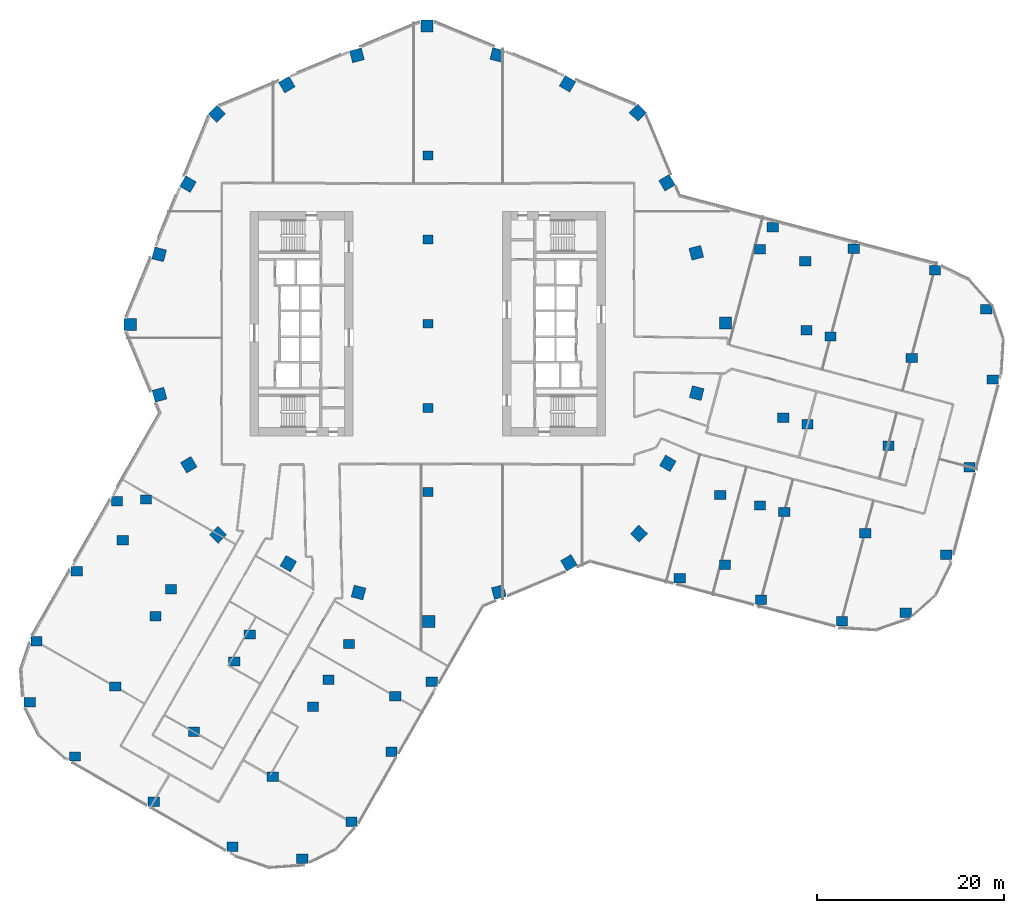
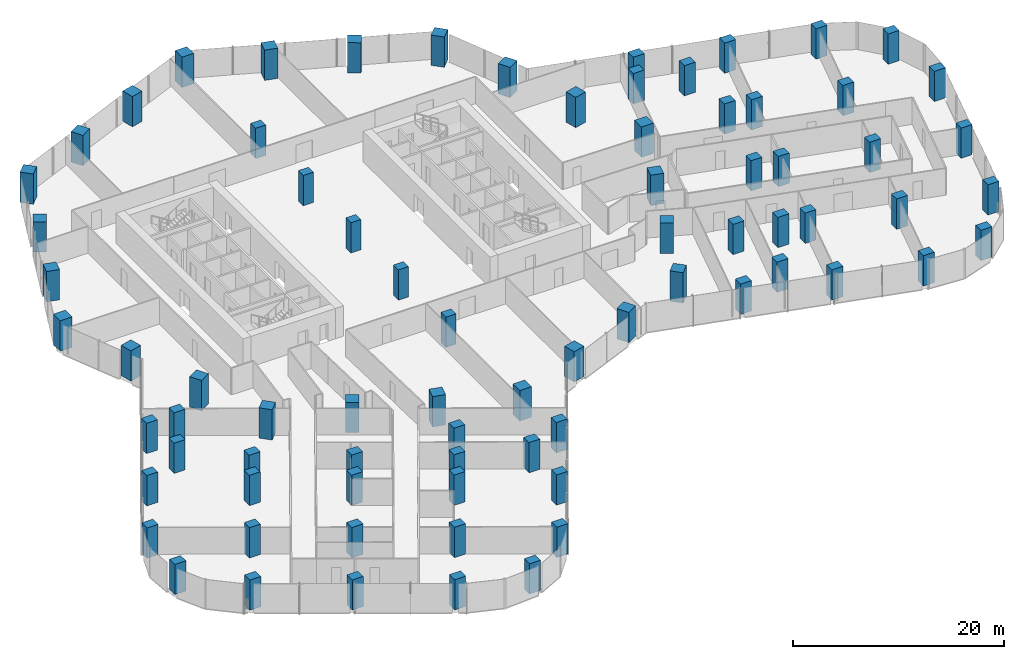
# One storey, part 1 of 34: 77 columns.
"""IFC4 building model written with IfcOpenShell, lengths in metres."""

from ifc_helpers import new_model, si_unit, direction, frame, origin, origin_2d, place, context, subcontext, project, spatial, rectangle, extrude, material, material_profile, profile_set, type_object, element, save


model = new_model("IFC4")

# Units and contexts
model_context = context("Model", 3, precision=1e-05, world=origin(), true_north=direction((0.0, 1.0)))
body_context = subcontext(model_context, "Body", "Model", "MODEL_VIEW")
ifc_project = project(units=[si_unit("LENGTHUNIT", "METRE"), si_unit("AREAUNIT", "SQUARE_METRE"), si_unit("VOLUMEUNIT", "CUBIC_METRE"), si_unit("PLANEANGLEUNIT", "RADIAN"), si_unit("MASSUNIT", "GRAM", prefix="KILO")], contexts=[model_context])

# Site, building, storey
site_placement = place(None, origin())
site = spatial("IfcSite", under=ifc_project, at=site_placement, CompositionType="ELEMENT")
building_placement = place(site_placement, origin())
building = spatial("IfcBuilding", under=site, at=building_placement, Name="Orlundy Tower", CompositionType="ELEMENT")
storey_placement = place(building_placement, frame((0.0, 0.0, 112.699951171875)))
storey = spatial("IfcBuildingStorey", under=building, at=storey_placement, Name="L28", CompositionType="ELEMENT", Elevation=112.699951171875)

# Columns
ifc_material_1 = material(Name="Concrete C80/95", Category="concrete")
ifc_material_profile_1 = material_profile(ifc_material_1, rectangle(XDim=1.10009765625, YDim=0.949951171875, at=origin_2d()), Name="RC1100X950")
ifc_profile_set_1 = profile_set([ifc_material_profile_1], Name="Concrete C80/95")
column_type_1 = type_object("IfcColumnType", Name="RC COLUMN RC1100X950 C80/95", PredefinedType="COLUMN", material=ifc_profile_set_1)
for number, where, z_axis, x_axis, name in (
    (1, (0.0, -18.0, 0.0), (0.0, 0.0, 1.0), (1.0, 0.0, 0.0), "Column C-M1 L28"),
    (2, (0.0, -9.0, 0.0), (0.0, 0.0, 1.0), (1.0, 0.0, 0.0), "Column C-M2 L28"),
    (3, (0.0, 0.0, 0.0), (0.0, 0.0, 1.0), (1.0, 0.0, 0.0), "Column C-M3 L28"),
    (4, (0.0, 9.0, 0.0), (0.0, 0.0, 1.0), (1.0, 0.0, 0.0), "Column C-M4 L28"),
    (5, (0.0, 18.0, 0.0), (0.0, 0.0, 1.0), (1.0, 0.0, 0.0), "Column C-M5 L28"),
):
    element("IfcColumn", number, at=place(storey_placement, frame(where, z_axis=z_axis, x_axis=x_axis)), inside=storey, type_object=column_type_1, Name=name, PredefinedType="COLUMN", context=body_context, shape_type="SweptSolid", body=[
        extrude(rectangle(XDim=1.10009765625, YDim=0.949951171875, at=origin_2d()), origin(), (0.0, 0.0, 1.0), 3.5),
    ])
ifc_material_2 = material(Name="Concrete C80/95", Category="concrete")
ifc_material_profile_2 = material_profile(ifc_material_2, rectangle(XDim=1.199951171875, YDim=1.0, at=origin_2d()), Name="RC1200X1000")
ifc_profile_set_2 = profile_set([ifc_material_profile_2], Name="Concrete C80/95")
column_type_2 = type_object("IfcColumnType", Name="RC COLUMN RC1200X1000 C80/95", PredefinedType="COLUMN", material=ifc_profile_set_2)
for number, where, z_axis, x_axis, name in (
    (6, (26.93408203125, -27.201904296875, 0.0), (0.0, 0.0, 1.0), (1.0, 0.0, 0.0), "Column C-A1-1 L28"),
    (7, (35.60205078125, -29.4970703125, 0.0), (0.0, 0.0, 1.0), (1.0, 0.0, 0.0), "Column C-A1-2 L28"),
    (8, (44.26904296875, -31.79296875, 0.0), (0.0, 0.0, 1.0), (1.0, 0.0, 0.0), "Column C-A1-3 L28"),
    (9, (51.0849609375, -30.90087890625, 0.0), (0.0, 0.0, 1.0), (1.0, 0.0, 0.0), "Column C-A1-5 L28"),
    (10, (31.7509765625, -25.781005859375, 0.0), (0.0, 0.0, 1.0), (1.0, 0.0, 0.0), "Column C-A1-6 L28"),
    (11, (38.0849609375, -20.12109375, 0.0), (0.0, 0.0, 1.0), (1.0, 0.0, 0.0), "Column C-A2-2 L28"),
    (12, (46.7529296875, -22.416015625, 0.0), (0.0, 0.0, 1.0), (1.0, 0.0, 0.0), "Column C-A2-3 L28"),
    (13, (55.4208984375, -24.7119140625, 0.0), (0.0, 0.0, 1.0), (1.0, 0.0, 0.0), "Column C-A2-5 L28"),
    (14, (35.507080078125, -19.43798828125, 0.0), (0.0, 0.0, 1.0), (1.0, 0.0, 0.0), "Column C-A2-6 L28"),
    (15, (31.25390625, -18.31103515625, 0.0), (0.0, 0.0, 1.0), (1.0, 0.0, 0.0), "Column C-A2-7 L28"),
    (16, (40.568115234375, -10.743896484375, 0.0), (0.0, 0.0, 1.0), (1.0, 0.0, 0.0), "Column C-A3-2 L28"),
    (17, (49.236083984375, -13.0390625, 0.0), (0.0, 0.0, 1.0), (1.0, 0.0, 0.0), "Column C-A3-3 L28"),
    (18, (57.904052734375, -15.3349609375, 0.0), (0.0, 0.0, 1.0), (1.0, 0.0, 0.0), "Column C-A3-5 L28"),
    (19, (37.989990234375, -10.06103515625, 0.0), (0.0, 0.0, 1.0), (1.0, 0.0, 0.0), "Column C-A3-6 L28"),
    (20, (43.051025390625, -1.366943359375, 0.0), (0.0, 0.0, 1.0), (1.0, 0.0, 0.0), "Column C-A4-2 L28"),
    (21, (51.718994140625, -3.6630859375, 0.0), (0.0, 0.0, 1.0), (1.0, 0.0, 0.0), "Column C-A4-3 L28"),
    (22, (60.386962890625, -5.9580078125, 0.0), (0.0, 0.0, 1.0), (1.0, 0.0, 0.0), "Column C-A4-5 L28"),
    (23, (40.47412109375, -0.68408203125, 0.0), (0.0, 0.0, 1.0), (1.0, 0.0, 0.0), "Column C-A4-6 L28"),
    (24, (36.866943359375, 10.304931640625, 0.0), (0.0, 0.0, 1.0), (1.0, 0.0, 0.0), "Column C-A5-1 L28"),
    (25, (45.534912109375, 8.010009765625, 0.0), (0.0, 0.0, 1.0), (1.0, 0.0, 0.0), "Column C-A5-2 L28"),
    (26, (54.202880859375, 5.714111328125, 0.0), (0.0, 0.0, 1.0), (1.0, 0.0, 0.0), "Column C-A5-3 L28"),
    (27, (59.68310546875, 1.56591796875, 0.0), (0.0, 0.0, 1.0), (1.0, 0.0, 0.0), "Column C-A5-5 L28"),
    (28, (40.35009765625, 6.68603515625, 0.0), (0.0, 0.0, 1.0), (1.0, 0.0, 0.0), "Column C-A5-6 L28"),
    (29, (35.51611328125, 7.966064453125, 0.0), (0.0, 0.0, 1.0), (1.0, 0.0, 0.0), "Column C-A5-7 L28"),
    (30, (-33.24609375, -18.97607421875, 0.0), (0.0, 0.0, 1.0), (1.0, 0.0, 0.0), "Column C-B1-1 L28"),
    (31, (-37.541015625, -26.465087890625, 0.0), (0.0, 0.0, 1.0), (1.0, 0.0, 0.0), "Column C-B1-2 L28"),
    (32, (-41.83203125, -33.9560546875, 0.0), (0.0, 0.0, 1.0), (1.0, 0.0, 0.0), "Column C-B1-3 L28"),
    (33, (-42.572021484375, -40.47900390625, 0.0), (0.0, 0.0, 1.0), (1.0, 0.0, 0.0), "Column C-B1-5 L28"),
    (34, (-32.623046875, -23.12890625, 0.0), (0.0, 0.0, 1.0), (1.0, 0.0, 0.0), "Column C-B1-6 L28"),
    (35, (-30.135009765625, -18.7919921875, 0.0), (0.0, 0.0, 1.0), (1.0, 0.0, 0.0), "Column C-B1-7 L28"),
    (36, (-29.1259765625, -31.2900390625, 0.0), (0.0, 0.0, 1.0), (1.0, 0.0, 0.0), "Column C-B2-2 L28"),
    (37, (-33.4208984375, -38.780029296875, 0.0), (0.0, 0.0, 1.0), (1.0, 0.0, 0.0), "Column C-B2-3 L28"),
    (38, (-37.716064453125, -46.26904296875, 0.0), (0.0, 0.0, 1.0), (1.0, 0.0, 0.0), "Column C-B2-5 L28"),
    (39, (-27.468017578125, -28.39892578125, 0.0), (0.0, 0.0, 1.0), (1.0, 0.0, 0.0), "Column C-B2-6 L28"),
    (40, (-20.7119140625, -36.115966796875, 0.0), (0.0, 0.0, 1.0), (1.0, 0.0, 0.0), "Column C-B3-2 L28"),
    (41, (-25.007080078125, -43.60498046875, 0.0), (0.0, 0.0, 1.0), (1.0, 0.0, 0.0), "Column C-B3-3 L28"),
    (42, (-29.301025390625, -51.093994140625, 0.0), (0.0, 0.0, 1.0), (1.0, 0.0, 0.0), "Column C-B3-5 L28"),
    (43, (-19.052978515625, -33.22412109375, 0.0), (0.0, 0.0, 1.0), (1.0, 0.0, 0.0), "Column C-B3-6 L28"),
    (44, (-12.297119140625, -40.94091796875, 0.0), (0.0, 0.0, 1.0), (1.0, 0.0, 0.0), "Column C-B4-2 L28"),
    (45, (-16.592041015625, -48.430908203125, 0.0), (0.0, 0.0, 1.0), (1.0, 0.0, 0.0), "Column C-B4-3 L28"),
    (46, (-20.886962890625, -55.919921875, 0.0), (0.0, 0.0, 1.0), (1.0, 0.0, 0.0), "Column C-B4-5 L28"),
    (47, (-10.638916015625, -38.050048828125, 0.0), (0.0, 0.0, 1.0), (1.0, 0.0, 0.0), "Column C-B4-6 L28"),
    (48, (-8.449951171875, -34.23291015625, 0.0), (0.0, 0.0, 1.0), (1.0, 0.0, 0.0), "Column C-B4-7 L28"),
    (49, (0.412109375, -38.278076171875, 0.0), (0.0, 0.0, 1.0), (1.0, 0.0, 0.0), "Column C-B5-1 L28"),
    (50, (-3.883056640625, -45.76708984375, 0.0), (0.0, 0.0, 1.0), (1.0, 0.0, 0.0), "Column C-B5-2 L28"),
    (51, (-8.180908203125, -53.25390625, 0.0), (0.0, 0.0, 1.0), (1.0, 0.0, 0.0), "Column C-B5-3 L28"),
    (52, (-13.43701171875, -57.18701171875, 0.0), (0.0, 0.0, 1.0), (1.0, 0.0, 0.0), "Column C-B5-5 L28"),
    (53, (-3.487060546875, -39.837890625, 0.0), (0.0, 0.0, 1.0), (1.0, 0.0, 0.0), "Column C-B5-6 L28"),
):
    element("IfcColumn", number, at=place(storey_placement, frame(where, z_axis=z_axis, x_axis=x_axis)), inside=storey, type_object=column_type_2, Name=name, PredefinedType="COLUMN", context=body_context, shape_type="SweptSolid", body=[
        extrude(rectangle(XDim=1.199951171875, YDim=1.0, at=origin_2d()), origin(), (0.0, 0.0, 1.0), 3.5),
    ])
ifc_material_3 = material(Name="Concrete C80/95", Category="concrete")
ifc_material_profile_3 = material_profile(ifc_material_3, rectangle(XDim=1.300048828125, YDim=1.300048828125, at=origin_2d()), Name="RC1300X1300")
ifc_profile_set_3 = profile_set([ifc_material_profile_3], Name="Concrete C80/95")
column_type_3 = type_object("IfcColumnType", Name="RC COLUMN RC1300X1300 C80/95", PredefinedType="COLUMN", material=ifc_profile_set_3)
for number, where, z_axis, x_axis, name in (
    (54, (22.43603515625, 22.56689453125, 0.0), (0.0, 0.0, 1.0), (0.705042776473, 0.709164778696, 0.0), "Column C-H01 L28"),
    (55, (25.56494140625, 15.075927734375, 0.0), (0.0, 0.0, 1.0), (0.86138102753, 0.507959373781, 0.0), "Column C-H02 L28"),
    (56, (28.694091796875, 7.583984375, 0.0), (0.0, 0.0, 1.0), (0.966801093075, 0.25553012822, 0.0), "Column C-H03 L28"),
    (57, (31.822021484375, 0.093017578125, 0.0), (0.0, 0.0, 1.0), (0.999995752265, 0.002914695724, 0.0), "Column C-H04 L28"),
    (58, (28.737060546875, -7.4169921875, 0.0), (0.0, 0.0, 1.0), (0.968269883519, -0.249906847984, 0.0), "Column C-H05 L28"),
    (59, (25.652099609375, -14.927001953125, 0.0), (0.0, 0.0, 1.0), (0.864318695434, -0.50294452251, 0.0), "Column C-H06 L28"),
    (60, (22.56689453125, -22.43603515625, 0.0), (0.0, 0.0, 1.0), (0.709164778696, -0.705042776473, 0.0), "Column C-H07 L28"),
    (61, (15.075927734375, -25.56494140625, 0.0), (0.0, 0.0, 1.0), (0.507959373781, -0.86138102753, 0.0), "Column C-H08 L28"),
    (62, (7.583984375, -28.694091796875, 0.0), (0.0, 0.0, 1.0), (0.25553012822, -0.966801093075, 0.0), "Column C-H09 L28"),
    (63, (0.093017578125, -31.822021484375, 0.0), (0.0, 0.0, 1.0), (0.002914695724, -0.999995752265, 0.0), "Column C-H10 L28"),
    (64, (-7.4169921875, -28.737060546875, 0.0), (0.0, 0.0, 1.0), (-0.249906847984, -0.968269883519, 0.0), "Column C-H11 L28"),
    (65, (-14.927001953125, -25.652099609375, 0.0), (0.0, 0.0, 1.0), (-0.50294452251, -0.864318695434, 0.0), "Column C-H12 L28"),
    (66, (-22.43603515625, -22.56689453125, 0.0), (0.0, 0.0, 1.0), (-0.705042776473, -0.709164778696, 0.0), "Column C-H13 L28"),
    (67, (-25.56494140625, -15.075927734375, 0.0), (0.0, 0.0, 1.0), (-0.86138102753, -0.507959373781, 0.0), "Column C-H14 L28"),
    (68, (-28.694091796875, -7.583984375, 0.0), (0.0, 0.0, 1.0), (-0.966801093075, -0.25553012822, 0.0), "Column C-H15 L28"),
    (69, (-31.822021484375, -0.093017578125, 0.0), (0.0, 0.0, 1.0), (-0.999995752265, -0.002914695724, 0.0), "Column C-H16 L28"),
    (70, (-28.737060546875, 7.4169921875, 0.0), (0.0, 0.0, 1.0), (-0.968269883519, 0.249906847984, 0.0), "Column C-H17 L28"),
    (71, (-25.652099609375, 14.927001953125, 0.0), (0.0, 0.0, 1.0), (-0.864318695434, 0.50294452251, 0.0), "Column C-H18 L28"),
    (72, (-22.56689453125, 22.43603515625, 0.0), (0.0, 0.0, 1.0), (-0.709164778696, 0.705042776473, 0.0), "Column C-H19 L28"),
    (73, (-15.075927734375, 25.56494140625, 0.0), (0.0, 0.0, 1.0), (-0.507959373781, 0.86138102753, 0.0), "Column C-H20 L28"),
    (74, (-7.583984375, 28.694091796875, 0.0), (0.0, 0.0, 1.0), (-0.25553012822, 0.966801093075, 0.0), "Column C-H21 L28"),
    (75, (-0.093017578125, 31.822021484375, 0.0), (0.0, 0.0, 1.0), (-0.002914695724, 0.999995752265, 0.0), "Column C-H22 L28"),
    (76, (7.4169921875, 28.737060546875, 0.0), (0.0, 0.0, 1.0), (0.249906847984, 0.968269883519, 0.0), "Column C-H23 L28"),
    (77, (14.927001953125, 25.652099609375, 0.0), (0.0, 0.0, 1.0), (0.50294452251, 0.864318695434, 0.0), "Column C-H24 L28"),
):
    element("IfcColumn", number, at=place(storey_placement, frame(where, z_axis=z_axis, x_axis=x_axis)), inside=storey, type_object=column_type_3, Name=name, PredefinedType="COLUMN", context=body_context, shape_type="SweptSolid", body=[
        extrude(rectangle(XDim=1.300048828125, YDim=1.300048828125, at=origin_2d()), origin(), (0.0, 0.0, 1.0), 3.5),
    ])

save(model, "model.ifc")
